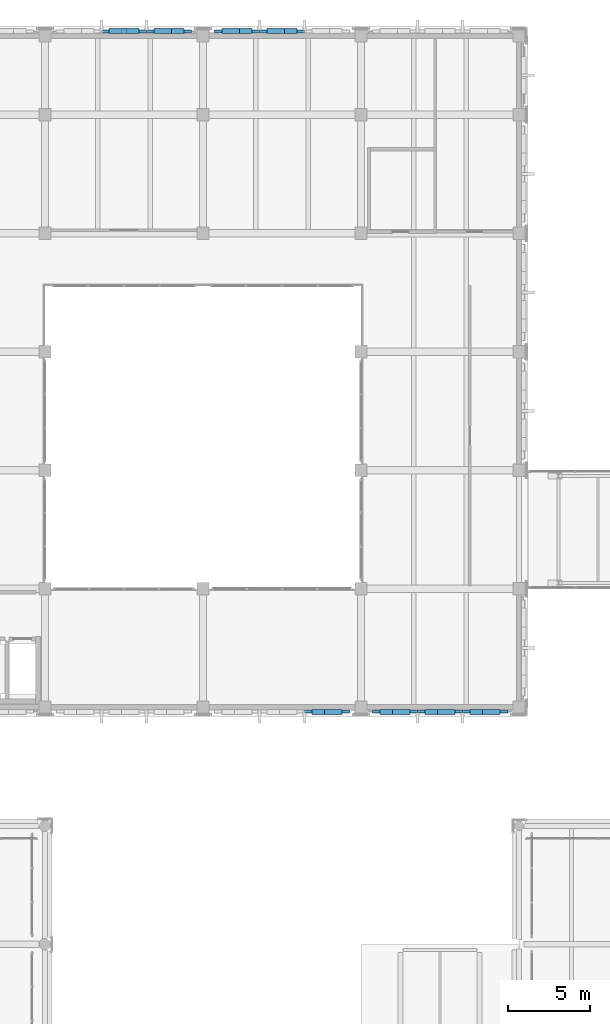
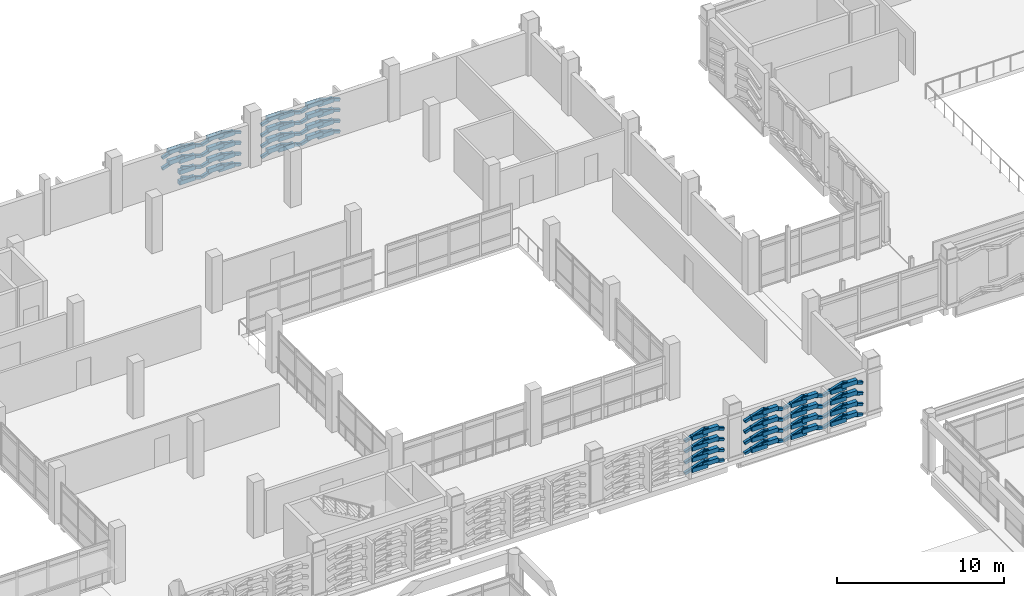
# One storey, part 137 of 180: 124 plates.
"""IFC4 building model written with IfcOpenShell, lengths in metres."""

from ifc_helpers import new_model, si_unit, direction, frame, origin, origin_2d, place, context, subcontext, project, spatial, rectangle, hollow_rectangle, extrude, material, layer, layer_set, material_profile, profile_set, type_object, element, save


model = new_model("IFC4")

# Units and contexts
model_context = context("Model", 3, precision=1e-05, world=origin(), true_north=direction((0.0, 1.0)))
body_context = subcontext(model_context, "Body", "Model", "MODEL_VIEW")
ifc_project = project(units=[si_unit("LENGTHUNIT", "METRE"), si_unit("AREAUNIT", "SQUARE_METRE"), si_unit("VOLUMEUNIT", "CUBIC_METRE"), si_unit("PLANEANGLEUNIT", "RADIAN"), si_unit("MASSUNIT", "GRAM", prefix="KILO")], contexts=[model_context])

# Site, building, storey
site_placement = place(None, origin())
site = spatial("IfcSite", under=ifc_project, at=site_placement, CompositionType="ELEMENT")
building_placement = place(site_placement, origin())
building = spatial("IfcBuilding", under=site, at=building_placement, Name="Asteropetra Specialist Clinic", CompositionType="ELEMENT")
storey_placement = place(building_placement, frame((0.0, 0.0, 4.419921875)))
storey = spatial("IfcBuildingStorey", under=building, at=storey_placement, Name="L01", CompositionType="ELEMENT", Elevation=4.419921875)

# Plates
ifc_material_1 = material(Name="Chevron emerald aluminium 6063-T6", Category="aluminium")
ifc_material_profile = material_profile(ifc_material_1, hollow_rectangle(XDim=0.199951171875, YDim=0.199951171875, WallThickness=0.010009765625, InnerFilletRadius=0.008056640625, OuterFilletRadius=0.01611328125, at=origin_2d()), Name="SHS 200x200x10.0")
ifc_profile_set = profile_set([ifc_material_profile], Name="Chevron emerald aluminium 6063-T6")
plate_type_1 = type_object("IfcPlateType", Name="CHV-RIB-200", PredefinedType="SHEET", material=ifc_profile_set)
for number, where, z_axis, x_axis, name in (
    (1, (56.885009765625, 110.652099609375, 0.050048828125), (-0.95244216645, 0.0, 0.304719411211), (0.0, -1.0, 0.0), "Chevron Facade Screen Fin CVR-0547"),
    (2, (55.53662109375, 110.652099609375, 0.4814453125), (-0.95244216645, 0.0, -0.304719411211), (0.0, -1.0, 0.0), "Chevron Facade Screen Fin CVR-0548"),
    (3, (56.885009765625, 110.652099609375, 0.820068359375), (-0.95244216645, 0.0, 0.304719411211), (0.0, -1.0, 0.0), "Chevron Facade Screen Fin CVR-0549"),
    (4, (55.53662109375, 110.652099609375, 1.25146484375), (-0.95244216645, 0.0, -0.304719411211), (0.0, -1.0, 0.0), "Chevron Facade Screen Fin CVR-0550"),
    (5, (56.885009765625, 110.652099609375, 1.6201171875), (-0.95244216645, 0.0, 0.304719411211), (0.0, -1.0, 0.0), "Chevron Facade Screen Fin CVR-0551"),
    (6, (55.53662109375, 110.652099609375, 2.051513671875), (-0.95244216645, 0.0, -0.304719411211), (0.0, -1.0, 0.0), "Chevron Facade Screen Fin CVR-0552"),
    (7, (56.885009765625, 110.652099609375, 2.400146484375), (-0.95244216645, 0.0, 0.304719411211), (0.0, -1.0, 0.0), "Chevron Facade Screen Fin CVR-0553"),
    (8, (55.53662109375, 110.652099609375, 2.83154296875), (-0.95244216645, 0.0, -0.304719411211), (0.0, -1.0, 0.0), "Chevron Facade Screen Fin CVR-0554"),
):
    element("IfcPlate", number, at=place(storey_placement, frame(where, z_axis=z_axis, x_axis=x_axis)), inside=storey, type_object=plate_type_1, Name=name, PredefinedType="SHEET", context=body_context, shape_type="SweptSolid", body=[
        extrude(hollow_rectangle(XDim=0.199951171875, YDim=0.199951171875, WallThickness=0.010009765625, InnerFilletRadius=0.008056640625, OuterFilletRadius=0.01611328125, at=origin_2d()), origin(), (0.0, 0.0, 1.0), 1.415771484375),
    ])
for number, where, z_axis, x_axis, name in (
    (9, (54.148193359375, 110.652099609375, 0.050048828125), (-0.952426149832, 0.0, 0.304769468807), (0.0, -1.0, 0.0), "Chevron Facade Screen Fin CVR-0555"),
    (10, (54.148193359375, 110.652099609375, 0.820068359375), (-0.952426149832, 0.0, 0.304769468807), (0.0, -1.0, 0.0), "Chevron Facade Screen Fin CVR-0557"),
    (11, (54.148193359375, 110.652099609375, 1.6201171875), (-0.952426149832, 0.0, 0.304769468807), (0.0, -1.0, 0.0), "Chevron Facade Screen Fin CVR-0559"),
):
    element("IfcPlate", number, at=place(storey_placement, frame(where, z_axis=z_axis, x_axis=x_axis)), inside=storey, type_object=plate_type_1, Name=name, PredefinedType="SHEET", context=body_context, shape_type="SweptSolid", body=[
        extrude(hollow_rectangle(XDim=0.199951171875, YDim=0.199951171875, WallThickness=0.010009765625, InnerFilletRadius=0.008056640625, OuterFilletRadius=0.01611328125, at=origin_2d()), origin(), (0.0, 0.0, 1.0), 1.41552734375),
    ])
plate_1_placement = place(storey_placement, frame((52.800048828125, 110.652099609375, 2.051513671875), z_axis=(-0.95244216645, 0.0, -0.304719411211), x_axis=(0.0, -1.0, 0.0)))
element("IfcPlate", 12, at=plate_1_placement, inside=storey, type_object=plate_type_1, Name="Chevron Facade Screen Fin CVR-0560", PredefinedType="SHEET", context=body_context, shape_type="SweptSolid", body=[
    extrude(hollow_rectangle(XDim=0.199951171875, YDim=0.199951171875, WallThickness=0.010009765625, InnerFilletRadius=0.008056640625, OuterFilletRadius=0.01611328125, at=origin_2d()), origin(), (0.0, 0.0, 1.0), 1.415771484375),
])
plate_2_placement = place(storey_placement, frame((54.148193359375, 110.652099609375, 2.400146484375), z_axis=(-0.952426149832, 0.0, 0.304769468807), x_axis=(0.0, -1.0, 0.0)))
element("IfcPlate", 13, at=plate_2_placement, inside=storey, type_object=plate_type_1, Name="Chevron Facade Screen Fin CVR-0561", PredefinedType="SHEET", context=body_context, shape_type="SweptSolid", body=[
    extrude(hollow_rectangle(XDim=0.199951171875, YDim=0.199951171875, WallThickness=0.010009765625, InnerFilletRadius=0.008056640625, OuterFilletRadius=0.01611328125, at=origin_2d()), origin(), (0.0, 0.0, 1.0), 1.41552734375),
])
for number, where, z_axis, x_axis, name in (
    (14, (52.800048828125, 110.652099609375, 2.83154296875), (-0.95244216645, 0.0, -0.304719411211), (0.0, -1.0, 0.0), "Chevron Facade Screen Fin CVR-0562"),
    (15, (63.788330078125, 69.347900390625, 0.050048828125), (0.95244216645, 0.0, 0.304719411211), (0.0, 1.0, 0.0), "Chevron Facade Screen Fin CVR-0587"),
    (16, (65.13671875, 69.347900390625, 0.4814453125), (0.95244216645, 0.0, -0.304719411211), (0.0, 1.0, 0.0), "Chevron Facade Screen Fin CVR-0588"),
    (17, (63.788330078125, 69.347900390625, 0.820068359375), (0.95244216645, 0.0, 0.304719411211), (0.0, 1.0, 0.0), "Chevron Facade Screen Fin CVR-0589"),
    (18, (65.13671875, 69.347900390625, 1.25146484375), (0.95244216645, 0.0, -0.304719411211), (0.0, 1.0, 0.0), "Chevron Facade Screen Fin CVR-0590"),
    (19, (63.788330078125, 69.347900390625, 1.6201171875), (0.95244216645, 0.0, 0.304719411211), (0.0, 1.0, 0.0), "Chevron Facade Screen Fin CVR-0591"),
    (20, (65.13671875, 69.347900390625, 2.051513671875), (0.95244216645, 0.0, -0.304719411211), (0.0, 1.0, 0.0), "Chevron Facade Screen Fin CVR-0592"),
    (21, (63.788330078125, 69.347900390625, 2.400146484375), (0.95244216645, 0.0, 0.304719411211), (0.0, 1.0, 0.0), "Chevron Facade Screen Fin CVR-0593"),
    (22, (65.13671875, 69.347900390625, 2.83154296875), (0.95244216645, 0.0, -0.304719411211), (0.0, 1.0, 0.0), "Chevron Facade Screen Fin CVR-0594"),
    (23, (63.748291015625, 110.652099609375, 0.050048828125), (-0.95244216645, 0.0, 0.304719411211), (0.0, -1.0, 0.0), "Chevron Facade Screen Fin CVR-0603"),
):
    element("IfcPlate", number, at=place(storey_placement, frame(where, z_axis=z_axis, x_axis=x_axis)), inside=storey, type_object=plate_type_1, Name=name, PredefinedType="SHEET", context=body_context, shape_type="SweptSolid", body=[
        extrude(hollow_rectangle(XDim=0.199951171875, YDim=0.199951171875, WallThickness=0.010009765625, InnerFilletRadius=0.008056640625, OuterFilletRadius=0.01611328125, at=origin_2d()), origin(), (0.0, 0.0, 1.0), 1.415771484375),
    ])
plate_3_placement = place(storey_placement, frame((62.39990234375, 110.652099609375, 0.4814453125), z_axis=(-0.952426149832, 0.0, -0.304769468807), x_axis=(0.0, -1.0, 0.0)))
element("IfcPlate", 24, at=plate_3_placement, inside=storey, type_object=plate_type_1, Name="Chevron Facade Screen Fin CVR-0604", PredefinedType="SHEET", context=body_context, shape_type="SweptSolid", body=[
    extrude(hollow_rectangle(XDim=0.199951171875, YDim=0.199951171875, WallThickness=0.010009765625, InnerFilletRadius=0.008056640625, OuterFilletRadius=0.01611328125, at=origin_2d()), origin(), (0.0, 0.0, 1.0), 1.41552734375),
])
plate_4_placement = place(storey_placement, frame((63.748291015625, 110.652099609375, 0.820068359375), z_axis=(-0.95244216645, 0.0, 0.304719411211), x_axis=(0.0, -1.0, 0.0)))
element("IfcPlate", 25, at=plate_4_placement, inside=storey, type_object=plate_type_1, Name="Chevron Facade Screen Fin CVR-0605", PredefinedType="SHEET", context=body_context, shape_type="SweptSolid", body=[
    extrude(hollow_rectangle(XDim=0.199951171875, YDim=0.199951171875, WallThickness=0.010009765625, InnerFilletRadius=0.008056640625, OuterFilletRadius=0.01611328125, at=origin_2d()), origin(), (0.0, 0.0, 1.0), 1.415771484375),
])
plate_5_placement = place(storey_placement, frame((62.39990234375, 110.652099609375, 1.25146484375), z_axis=(-0.952426149832, 0.0, -0.304769468807), x_axis=(0.0, -1.0, 0.0)))
element("IfcPlate", 26, at=plate_5_placement, inside=storey, type_object=plate_type_1, Name="Chevron Facade Screen Fin CVR-0606", PredefinedType="SHEET", context=body_context, shape_type="SweptSolid", body=[
    extrude(hollow_rectangle(XDim=0.199951171875, YDim=0.199951171875, WallThickness=0.010009765625, InnerFilletRadius=0.008056640625, OuterFilletRadius=0.01611328125, at=origin_2d()), origin(), (0.0, 0.0, 1.0), 1.41552734375),
])
plate_6_placement = place(storey_placement, frame((63.748291015625, 110.652099609375, 1.6201171875), z_axis=(-0.95244216645, 0.0, 0.304719411211), x_axis=(0.0, -1.0, 0.0)))
element("IfcPlate", 27, at=plate_6_placement, inside=storey, type_object=plate_type_1, Name="Chevron Facade Screen Fin CVR-0607", PredefinedType="SHEET", context=body_context, shape_type="SweptSolid", body=[
    extrude(hollow_rectangle(XDim=0.199951171875, YDim=0.199951171875, WallThickness=0.010009765625, InnerFilletRadius=0.008056640625, OuterFilletRadius=0.01611328125, at=origin_2d()), origin(), (0.0, 0.0, 1.0), 1.415771484375),
])
plate_7_placement = place(storey_placement, frame((62.39990234375, 110.652099609375, 2.051513671875), z_axis=(-0.952426149832, 0.0, -0.304769468807), x_axis=(0.0, -1.0, 0.0)))
element("IfcPlate", 28, at=plate_7_placement, inside=storey, type_object=plate_type_1, Name="Chevron Facade Screen Fin CVR-0608", PredefinedType="SHEET", context=body_context, shape_type="SweptSolid", body=[
    extrude(hollow_rectangle(XDim=0.199951171875, YDim=0.199951171875, WallThickness=0.010009765625, InnerFilletRadius=0.008056640625, OuterFilletRadius=0.01611328125, at=origin_2d()), origin(), (0.0, 0.0, 1.0), 1.41552734375),
])
plate_8_placement = place(storey_placement, frame((63.748291015625, 110.652099609375, 2.400146484375), z_axis=(-0.95244216645, 0.0, 0.304719411211), x_axis=(0.0, -1.0, 0.0)))
element("IfcPlate", 29, at=plate_8_placement, inside=storey, type_object=plate_type_1, Name="Chevron Facade Screen Fin CVR-0609", PredefinedType="SHEET", context=body_context, shape_type="SweptSolid", body=[
    extrude(hollow_rectangle(XDim=0.199951171875, YDim=0.199951171875, WallThickness=0.010009765625, InnerFilletRadius=0.008056640625, OuterFilletRadius=0.01611328125, at=origin_2d()), origin(), (0.0, 0.0, 1.0), 1.415771484375),
])
plate_9_placement = place(storey_placement, frame((62.39990234375, 110.652099609375, 2.83154296875), z_axis=(-0.952426149832, 0.0, -0.304769468807), x_axis=(0.0, -1.0, 0.0)))
element("IfcPlate", 30, at=plate_9_placement, inside=storey, type_object=plate_type_1, Name="Chevron Facade Screen Fin CVR-0610", PredefinedType="SHEET", context=body_context, shape_type="SweptSolid", body=[
    extrude(hollow_rectangle(XDim=0.199951171875, YDim=0.199951171875, WallThickness=0.010009765625, InnerFilletRadius=0.008056640625, OuterFilletRadius=0.01611328125, at=origin_2d()), origin(), (0.0, 0.0, 1.0), 1.41552734375),
])
for number, where, z_axis, x_axis, name in (
    (31, (61.01171875, 110.652099609375, 0.050048828125), (-0.95244216645, 0.0, 0.304719411211), (0.0, -1.0, 0.0), "Chevron Facade Screen Fin CVR-0611"),
    (32, (59.663330078125, 110.652099609375, 0.4814453125), (-0.95244216645, 0.0, -0.304719411211), (0.0, -1.0, 0.0), "Chevron Facade Screen Fin CVR-0612"),
    (33, (61.01171875, 110.652099609375, 0.820068359375), (-0.95244216645, 0.0, 0.304719411211), (0.0, -1.0, 0.0), "Chevron Facade Screen Fin CVR-0613"),
    (34, (59.663330078125, 110.652099609375, 1.25146484375), (-0.95244216645, 0.0, -0.304719411211), (0.0, -1.0, 0.0), "Chevron Facade Screen Fin CVR-0614"),
    (35, (61.01171875, 110.652099609375, 1.6201171875), (-0.95244216645, 0.0, 0.304719411211), (0.0, -1.0, 0.0), "Chevron Facade Screen Fin CVR-0615"),
    (36, (59.663330078125, 110.652099609375, 2.051513671875), (-0.95244216645, 0.0, -0.304719411211), (0.0, -1.0, 0.0), "Chevron Facade Screen Fin CVR-0616"),
    (37, (61.01171875, 110.652099609375, 2.400146484375), (-0.95244216645, 0.0, 0.304719411211), (0.0, -1.0, 0.0), "Chevron Facade Screen Fin CVR-0617"),
    (38, (59.663330078125, 110.652099609375, 2.83154296875), (-0.95244216645, 0.0, -0.304719411211), (0.0, -1.0, 0.0), "Chevron Facade Screen Fin CVR-0618"),
):
    element("IfcPlate", number, at=place(storey_placement, frame(where, z_axis=z_axis, x_axis=x_axis)), inside=storey, type_object=plate_type_1, Name=name, PredefinedType="SHEET", context=body_context, shape_type="SweptSolid", body=[
        extrude(hollow_rectangle(XDim=0.199951171875, YDim=0.199951171875, WallThickness=0.010009765625, InnerFilletRadius=0.008056640625, OuterFilletRadius=0.01611328125, at=origin_2d()), origin(), (0.0, 0.0, 1.0), 1.415771484375),
    ])
plate_10_placement = place(storey_placement, frame((67.9150390625, 69.347900390625, 0.050048828125), z_axis=(0.952426149832, 0.0, 0.304769468807), x_axis=(0.0, 1.0, 0.0)))
element("IfcPlate", 39, at=plate_10_placement, inside=storey, type_object=plate_type_1, Name="Chevron Facade Screen Fin CVR-0619", PredefinedType="SHEET", context=body_context, shape_type="SweptSolid", body=[
    extrude(hollow_rectangle(XDim=0.199951171875, YDim=0.199951171875, WallThickness=0.010009765625, InnerFilletRadius=0.008056640625, OuterFilletRadius=0.01611328125, at=origin_2d()), origin(), (0.0, 0.0, 1.0), 1.41552734375),
])
plate_11_placement = place(storey_placement, frame((69.26318359375, 69.347900390625, 0.4814453125), z_axis=(0.952458175178, 0.0, -0.304669369214), x_axis=(0.0, 1.0, 0.0)))
element("IfcPlate", 40, at=plate_11_placement, inside=storey, type_object=plate_type_1, Name="Chevron Facade Screen Fin CVR-0620", PredefinedType="SHEET", context=body_context, shape_type="SweptSolid", body=[
    extrude(hollow_rectangle(XDim=0.199951171875, YDim=0.199951171875, WallThickness=0.010009765625, InnerFilletRadius=0.008056640625, OuterFilletRadius=0.01611328125, at=origin_2d()), origin(), (0.0, 0.0, 1.0), 1.416015625),
])
plate_12_placement = place(storey_placement, frame((67.9150390625, 69.347900390625, 0.820068359375), z_axis=(0.952426149832, 0.0, 0.304769468807), x_axis=(0.0, 1.0, 0.0)))
element("IfcPlate", 41, at=plate_12_placement, inside=storey, type_object=plate_type_1, Name="Chevron Facade Screen Fin CVR-0621", PredefinedType="SHEET", context=body_context, shape_type="SweptSolid", body=[
    extrude(hollow_rectangle(XDim=0.199951171875, YDim=0.199951171875, WallThickness=0.010009765625, InnerFilletRadius=0.008056640625, OuterFilletRadius=0.01611328125, at=origin_2d()), origin(), (0.0, 0.0, 1.0), 1.41552734375),
])
plate_13_placement = place(storey_placement, frame((69.26318359375, 69.347900390625, 1.25146484375), z_axis=(0.952458175178, 0.0, -0.304669369214), x_axis=(0.0, 1.0, 0.0)))
element("IfcPlate", 42, at=plate_13_placement, inside=storey, type_object=plate_type_1, Name="Chevron Facade Screen Fin CVR-0622", PredefinedType="SHEET", context=body_context, shape_type="SweptSolid", body=[
    extrude(hollow_rectangle(XDim=0.199951171875, YDim=0.199951171875, WallThickness=0.010009765625, InnerFilletRadius=0.008056640625, OuterFilletRadius=0.01611328125, at=origin_2d()), origin(), (0.0, 0.0, 1.0), 1.416015625),
])
plate_14_placement = place(storey_placement, frame((67.9150390625, 69.347900390625, 1.6201171875), z_axis=(0.952426149832, 0.0, 0.304769468807), x_axis=(0.0, 1.0, 0.0)))
element("IfcPlate", 43, at=plate_14_placement, inside=storey, type_object=plate_type_1, Name="Chevron Facade Screen Fin CVR-0623", PredefinedType="SHEET", context=body_context, shape_type="SweptSolid", body=[
    extrude(hollow_rectangle(XDim=0.199951171875, YDim=0.199951171875, WallThickness=0.010009765625, InnerFilletRadius=0.008056640625, OuterFilletRadius=0.01611328125, at=origin_2d()), origin(), (0.0, 0.0, 1.0), 1.41552734375),
])
plate_15_placement = place(storey_placement, frame((69.26318359375, 69.347900390625, 2.051513671875), z_axis=(0.952458175178, 0.0, -0.304669369214), x_axis=(0.0, 1.0, 0.0)))
element("IfcPlate", 44, at=plate_15_placement, inside=storey, type_object=plate_type_1, Name="Chevron Facade Screen Fin CVR-0624", PredefinedType="SHEET", context=body_context, shape_type="SweptSolid", body=[
    extrude(hollow_rectangle(XDim=0.199951171875, YDim=0.199951171875, WallThickness=0.010009765625, InnerFilletRadius=0.008056640625, OuterFilletRadius=0.01611328125, at=origin_2d()), origin(), (0.0, 0.0, 1.0), 1.416015625),
])
plate_16_placement = place(storey_placement, frame((67.9150390625, 69.347900390625, 2.400146484375), z_axis=(0.952426149832, 0.0, 0.304769468807), x_axis=(0.0, 1.0, 0.0)))
element("IfcPlate", 45, at=plate_16_placement, inside=storey, type_object=plate_type_1, Name="Chevron Facade Screen Fin CVR-0625", PredefinedType="SHEET", context=body_context, shape_type="SweptSolid", body=[
    extrude(hollow_rectangle(XDim=0.199951171875, YDim=0.199951171875, WallThickness=0.010009765625, InnerFilletRadius=0.008056640625, OuterFilletRadius=0.01611328125, at=origin_2d()), origin(), (0.0, 0.0, 1.0), 1.41552734375),
])
plate_17_placement = place(storey_placement, frame((69.26318359375, 69.347900390625, 2.83154296875), z_axis=(0.952458175178, 0.0, -0.304669369214), x_axis=(0.0, 1.0, 0.0)))
element("IfcPlate", 46, at=plate_17_placement, inside=storey, type_object=plate_type_1, Name="Chevron Facade Screen Fin CVR-0626", PredefinedType="SHEET", context=body_context, shape_type="SweptSolid", body=[
    extrude(hollow_rectangle(XDim=0.199951171875, YDim=0.199951171875, WallThickness=0.010009765625, InnerFilletRadius=0.008056640625, OuterFilletRadius=0.01611328125, at=origin_2d()), origin(), (0.0, 0.0, 1.0), 1.416015625),
])
for number, where, z_axis, x_axis, name in (
    (47, (70.651611328125, 69.347900390625, 0.050048828125), (0.95244216645, 0.0, 0.304719411211), (0.0, 1.0, 0.0), "Chevron Facade Screen Fin CVR-0627"),
    (48, (72.0, 69.347900390625, 0.4814453125), (0.95244216645, 0.0, -0.304719411211), (0.0, 1.0, 0.0), "Chevron Facade Screen Fin CVR-0628"),
    (49, (70.651611328125, 69.347900390625, 0.820068359375), (0.95244216645, 0.0, 0.304719411211), (0.0, 1.0, 0.0), "Chevron Facade Screen Fin CVR-0629"),
    (50, (72.0, 69.347900390625, 1.25146484375), (0.95244216645, 0.0, -0.304719411211), (0.0, 1.0, 0.0), "Chevron Facade Screen Fin CVR-0630"),
    (51, (70.651611328125, 69.347900390625, 1.6201171875), (0.95244216645, 0.0, 0.304719411211), (0.0, 1.0, 0.0), "Chevron Facade Screen Fin CVR-0631"),
    (52, (72.0, 69.347900390625, 2.051513671875), (0.95244216645, 0.0, -0.304719411211), (0.0, 1.0, 0.0), "Chevron Facade Screen Fin CVR-0632"),
    (53, (70.651611328125, 69.347900390625, 2.400146484375), (0.95244216645, 0.0, 0.304719411211), (0.0, 1.0, 0.0), "Chevron Facade Screen Fin CVR-0633"),
    (54, (72.0, 69.347900390625, 2.83154296875), (0.95244216645, 0.0, -0.304719411211), (0.0, 1.0, 0.0), "Chevron Facade Screen Fin CVR-0634"),
):
    element("IfcPlate", number, at=place(storey_placement, frame(where, z_axis=z_axis, x_axis=x_axis)), inside=storey, type_object=plate_type_1, Name=name, PredefinedType="SHEET", context=body_context, shape_type="SweptSolid", body=[
        extrude(hollow_rectangle(XDim=0.199951171875, YDim=0.199951171875, WallThickness=0.010009765625, InnerFilletRadius=0.008056640625, OuterFilletRadius=0.01611328125, at=origin_2d()), origin(), (0.0, 0.0, 1.0), 1.415771484375),
    ])
plate_18_placement = place(storey_placement, frame((73.38818359375, 69.347900390625, 0.050048828125), z_axis=(0.952458175178, 0.0, 0.304669369214), x_axis=(0.0, 1.0, 0.0)))
element("IfcPlate", 55, at=plate_18_placement, inside=storey, type_object=plate_type_1, Name="Chevron Facade Screen Fin CVR-0635", PredefinedType="SHEET", context=body_context, shape_type="SweptSolid", body=[
    extrude(hollow_rectangle(XDim=0.199951171875, YDim=0.199951171875, WallThickness=0.010009765625, InnerFilletRadius=0.008056640625, OuterFilletRadius=0.01611328125, at=origin_2d()), origin(), (0.0, 0.0, 1.0), 1.416015625),
])
plate_19_placement = place(storey_placement, frame((74.73681640625, 69.347900390625, 0.4814453125), z_axis=(0.952426149832, 0.0, -0.304769468807), x_axis=(0.0, 1.0, 0.0)))
element("IfcPlate", 56, at=plate_19_placement, inside=storey, type_object=plate_type_1, Name="Chevron Facade Screen Fin CVR-0636", PredefinedType="SHEET", context=body_context, shape_type="SweptSolid", body=[
    extrude(hollow_rectangle(XDim=0.199951171875, YDim=0.199951171875, WallThickness=0.010009765625, InnerFilletRadius=0.008056640625, OuterFilletRadius=0.01611328125, at=origin_2d()), origin(), (0.0, 0.0, 1.0), 1.41552734375),
])
plate_20_placement = place(storey_placement, frame((73.38818359375, 69.347900390625, 0.820068359375), z_axis=(0.952458175178, 0.0, 0.304669369214), x_axis=(0.0, 1.0, 0.0)))
element("IfcPlate", 57, at=plate_20_placement, inside=storey, type_object=plate_type_1, Name="Chevron Facade Screen Fin CVR-0637", PredefinedType="SHEET", context=body_context, shape_type="SweptSolid", body=[
    extrude(hollow_rectangle(XDim=0.199951171875, YDim=0.199951171875, WallThickness=0.010009765625, InnerFilletRadius=0.008056640625, OuterFilletRadius=0.01611328125, at=origin_2d()), origin(), (0.0, 0.0, 1.0), 1.416015625),
])
plate_21_placement = place(storey_placement, frame((74.73681640625, 69.347900390625, 1.25146484375), z_axis=(0.952426149832, 0.0, -0.304769468807), x_axis=(0.0, 1.0, 0.0)))
element("IfcPlate", 58, at=plate_21_placement, inside=storey, type_object=plate_type_1, Name="Chevron Facade Screen Fin CVR-0638", PredefinedType="SHEET", context=body_context, shape_type="SweptSolid", body=[
    extrude(hollow_rectangle(XDim=0.199951171875, YDim=0.199951171875, WallThickness=0.010009765625, InnerFilletRadius=0.008056640625, OuterFilletRadius=0.01611328125, at=origin_2d()), origin(), (0.0, 0.0, 1.0), 1.41552734375),
])
plate_22_placement = place(storey_placement, frame((73.38818359375, 69.347900390625, 1.6201171875), z_axis=(0.952458175178, 0.0, 0.304669369214), x_axis=(0.0, 1.0, 0.0)))
element("IfcPlate", 59, at=plate_22_placement, inside=storey, type_object=plate_type_1, Name="Chevron Facade Screen Fin CVR-0639", PredefinedType="SHEET", context=body_context, shape_type="SweptSolid", body=[
    extrude(hollow_rectangle(XDim=0.199951171875, YDim=0.199951171875, WallThickness=0.010009765625, InnerFilletRadius=0.008056640625, OuterFilletRadius=0.01611328125, at=origin_2d()), origin(), (0.0, 0.0, 1.0), 1.416015625),
])
plate_23_placement = place(storey_placement, frame((74.73681640625, 69.347900390625, 2.051513671875), z_axis=(0.952426149832, 0.0, -0.304769468807), x_axis=(0.0, 1.0, 0.0)))
element("IfcPlate", 60, at=plate_23_placement, inside=storey, type_object=plate_type_1, Name="Chevron Facade Screen Fin CVR-0640", PredefinedType="SHEET", context=body_context, shape_type="SweptSolid", body=[
    extrude(hollow_rectangle(XDim=0.199951171875, YDim=0.199951171875, WallThickness=0.010009765625, InnerFilletRadius=0.008056640625, OuterFilletRadius=0.01611328125, at=origin_2d()), origin(), (0.0, 0.0, 1.0), 1.41552734375),
])
plate_24_placement = place(storey_placement, frame((73.38818359375, 69.347900390625, 2.400146484375), z_axis=(0.952458175178, 0.0, 0.304669369214), x_axis=(0.0, 1.0, 0.0)))
element("IfcPlate", 61, at=plate_24_placement, inside=storey, type_object=plate_type_1, Name="Chevron Facade Screen Fin CVR-0641", PredefinedType="SHEET", context=body_context, shape_type="SweptSolid", body=[
    extrude(hollow_rectangle(XDim=0.199951171875, YDim=0.199951171875, WallThickness=0.010009765625, InnerFilletRadius=0.008056640625, OuterFilletRadius=0.01611328125, at=origin_2d()), origin(), (0.0, 0.0, 1.0), 1.416015625),
])
plate_25_placement = place(storey_placement, frame((74.73681640625, 69.347900390625, 2.83154296875), z_axis=(0.952426149832, 0.0, -0.304769468807), x_axis=(0.0, 1.0, 0.0)))
element("IfcPlate", 62, at=plate_25_placement, inside=storey, type_object=plate_type_1, Name="Chevron Facade Screen Fin CVR-0642", PredefinedType="SHEET", context=body_context, shape_type="SweptSolid", body=[
    extrude(hollow_rectangle(XDim=0.199951171875, YDim=0.199951171875, WallThickness=0.010009765625, InnerFilletRadius=0.008056640625, OuterFilletRadius=0.01611328125, at=origin_2d()), origin(), (0.0, 0.0, 1.0), 1.41552734375),
])
ifc_material_2 = material(Name="Aluminium 6063-T6", Category="aluminium")
ifc_layer = layer(ifc_material_2, 0.139892578125)
ifc_layer_set = layer_set([ifc_layer], Name="Aluminium 6063-T6")
plate_type_2 = type_object("IfcPlateType", Name="PLT-CHV-TILE", PredefinedType="SHEET", material=ifc_layer_set)
for number, where, z_axis, x_axis, name in (
    (63, (55.914306640625, 110.68994140625, 0.029296875), (0.0, 0.0, 1.0), (1.0, 0.0, 0.0), "Chevron Ceramic Panel CPT-0185"),
    (64, (55.1591796875, 110.68994140625, 0.193359375), (0.0, 0.0, 1.0), (1.0, 0.0, 0.0), "Chevron Ceramic Panel CPT-0186"),
    (65, (55.914306640625, 110.68994140625, 0.79931640625), (0.0, 0.0, 1.0), (1.0, 0.0, 0.0), "Chevron Ceramic Panel CPT-0187"),
    (66, (55.1591796875, 110.68994140625, 0.96337890625), (0.0, 0.0, 1.0), (1.0, 0.0, 0.0), "Chevron Ceramic Panel CPT-0188"),
    (67, (55.914306640625, 110.68994140625, 1.599609375), (0.0, 0.0, 1.0), (1.0, 0.0, 0.0), "Chevron Ceramic Panel CPT-0189"),
    (68, (55.1591796875, 110.68994140625, 1.763671875), (0.0, 0.0, 1.0), (1.0, 0.0, 0.0), "Chevron Ceramic Panel CPT-0190"),
    (69, (55.914306640625, 110.68994140625, 2.37939453125), (0.0, 0.0, 1.0), (1.0, 0.0, 0.0), "Chevron Ceramic Panel CPT-0191"),
    (70, (55.1591796875, 110.68994140625, 2.54345703125), (0.0, 0.0, 1.0), (1.0, 0.0, 0.0), "Chevron Ceramic Panel CPT-0192"),
    (71, (53.177490234375, 110.68994140625, 0.029296875), (0.0, 0.0, 1.0), (1.0, 0.0, 0.0), "Chevron Ceramic Panel CPT-0193"),
    (72, (53.177490234375, 110.68994140625, 0.79931640625), (0.0, 0.0, 1.0), (1.0, 0.0, 0.0), "Chevron Ceramic Panel CPT-0195"),
    (73, (53.177490234375, 110.68994140625, 1.599609375), (0.0, 0.0, 1.0), (1.0, 0.0, 0.0), "Chevron Ceramic Panel CPT-0197"),
    (74, (52.422607421875, 110.68994140625, 1.763671875), (0.0, 0.0, 1.0), (1.0, 0.0, 0.0), "Chevron Ceramic Panel CPT-0198"),
    (75, (53.177490234375, 110.68994140625, 2.37939453125), (0.0, 0.0, 1.0), (1.0, 0.0, 0.0), "Chevron Ceramic Panel CPT-0199"),
    (76, (52.422607421875, 110.68994140625, 2.54345703125), (0.0, 0.0, 1.0), (1.0, 0.0, 0.0), "Chevron Ceramic Panel CPT-0200"),
    (77, (64.759033203125, 69.31005859375, 0.029296875), (0.0, 0.0, 1.0), (1.0, 0.0, 0.0), "Chevron Ceramic Panel CPT-0225"),
    (78, (65.51416015625, 69.31005859375, 0.193359375), (0.0, 0.0, 1.0), (1.0, 0.0, 0.0), "Chevron Ceramic Panel CPT-0226"),
    (79, (64.759033203125, 69.31005859375, 0.79931640625), (0.0, 0.0, 1.0), (1.0, 0.0, 0.0), "Chevron Ceramic Panel CPT-0227"),
    (80, (65.51416015625, 69.31005859375, 0.96337890625), (0.0, 0.0, 1.0), (1.0, 0.0, 0.0), "Chevron Ceramic Panel CPT-0228"),
    (81, (64.759033203125, 69.31005859375, 1.599609375), (0.0, 0.0, 1.0), (1.0, 0.0, 0.0), "Chevron Ceramic Panel CPT-0229"),
    (82, (65.51416015625, 69.31005859375, 1.763671875), (0.0, 0.0, 1.0), (1.0, 0.0, 0.0), "Chevron Ceramic Panel CPT-0230"),
    (83, (64.759033203125, 69.31005859375, 2.37939453125), (0.0, 0.0, 1.0), (1.0, 0.0, 0.0), "Chevron Ceramic Panel CPT-0231"),
    (84, (65.51416015625, 69.31005859375, 2.54345703125), (0.0, 0.0, 1.0), (1.0, 0.0, 0.0), "Chevron Ceramic Panel CPT-0232"),
    (85, (62.777587890625, 110.68994140625, 0.029296875), (0.0, 0.0, 1.0), (1.0, 0.0, 0.0), "Chevron Ceramic Panel CPT-0241"),
    (86, (62.0224609375, 110.68994140625, 0.193359375), (0.0, 0.0, 1.0), (1.0, 0.0, 0.0), "Chevron Ceramic Panel CPT-0242"),
    (87, (62.777587890625, 110.68994140625, 0.79931640625), (0.0, 0.0, 1.0), (1.0, 0.0, 0.0), "Chevron Ceramic Panel CPT-0243"),
    (88, (62.0224609375, 110.68994140625, 0.96337890625), (0.0, 0.0, 1.0), (1.0, 0.0, 0.0), "Chevron Ceramic Panel CPT-0244"),
    (89, (62.777587890625, 110.68994140625, 1.599609375), (0.0, 0.0, 1.0), (1.0, 0.0, 0.0), "Chevron Ceramic Panel CPT-0245"),
    (90, (62.0224609375, 110.68994140625, 1.763671875), (0.0, 0.0, 1.0), (1.0, 0.0, 0.0), "Chevron Ceramic Panel CPT-0246"),
    (91, (62.777587890625, 110.68994140625, 2.37939453125), (0.0, 0.0, 1.0), (1.0, 0.0, 0.0), "Chevron Ceramic Panel CPT-0247"),
    (92, (62.0224609375, 110.68994140625, 2.54345703125), (0.0, 0.0, 1.0), (1.0, 0.0, 0.0), "Chevron Ceramic Panel CPT-0248"),
    (93, (60.041015625, 110.68994140625, 0.029296875), (0.0, 0.0, 1.0), (1.0, 0.0, 0.0), "Chevron Ceramic Panel CPT-0249"),
    (94, (59.285888671875, 110.68994140625, 0.193359375), (0.0, 0.0, 1.0), (1.0, 0.0, 0.0), "Chevron Ceramic Panel CPT-0250"),
    (95, (60.041015625, 110.68994140625, 0.79931640625), (0.0, 0.0, 1.0), (1.0, 0.0, 0.0), "Chevron Ceramic Panel CPT-0251"),
    (96, (59.285888671875, 110.68994140625, 0.96337890625), (0.0, 0.0, 1.0), (1.0, 0.0, 0.0), "Chevron Ceramic Panel CPT-0252"),
    (97, (60.041015625, 110.68994140625, 1.599609375), (0.0, 0.0, 1.0), (1.0, 0.0, 0.0), "Chevron Ceramic Panel CPT-0253"),
    (98, (59.285888671875, 110.68994140625, 1.763671875), (0.0, 0.0, 1.0), (1.0, 0.0, 0.0), "Chevron Ceramic Panel CPT-0254"),
    (99, (60.041015625, 110.68994140625, 2.37939453125), (0.0, 0.0, 1.0), (1.0, 0.0, 0.0), "Chevron Ceramic Panel CPT-0255"),
    (100, (59.285888671875, 110.68994140625, 2.54345703125), (0.0, 0.0, 1.0), (1.0, 0.0, 0.0), "Chevron Ceramic Panel CPT-0256"),
    (101, (68.8857421875, 69.31005859375, 0.029296875), (0.0, 0.0, 1.0), (1.0, 0.0, 0.0), "Chevron Ceramic Panel CPT-0257"),
    (102, (69.640869140625, 69.31005859375, 0.193359375), (0.0, 0.0, 1.0), (1.0, 0.0, 0.0), "Chevron Ceramic Panel CPT-0258"),
    (103, (68.8857421875, 69.31005859375, 0.79931640625), (0.0, 0.0, 1.0), (1.0, 0.0, 0.0), "Chevron Ceramic Panel CPT-0259"),
    (104, (69.640869140625, 69.31005859375, 0.96337890625), (0.0, 0.0, 1.0), (1.0, 0.0, 0.0), "Chevron Ceramic Panel CPT-0260"),
    (105, (68.8857421875, 69.31005859375, 1.599609375), (0.0, 0.0, 1.0), (1.0, 0.0, 0.0), "Chevron Ceramic Panel CPT-0261"),
    (106, (69.640869140625, 69.31005859375, 1.763671875), (0.0, 0.0, 1.0), (1.0, 0.0, 0.0), "Chevron Ceramic Panel CPT-0262"),
    (107, (68.8857421875, 69.31005859375, 2.37939453125), (0.0, 0.0, 1.0), (1.0, 0.0, 0.0), "Chevron Ceramic Panel CPT-0263"),
    (108, (69.640869140625, 69.31005859375, 2.54345703125), (0.0, 0.0, 1.0), (1.0, 0.0, 0.0), "Chevron Ceramic Panel CPT-0264"),
    (109, (71.62255859375, 69.31005859375, 0.029296875), (0.0, 0.0, 1.0), (1.0, 0.0, 0.0), "Chevron Ceramic Panel CPT-0265"),
    (110, (72.37744140625, 69.31005859375, 0.193359375), (0.0, 0.0, 1.0), (1.0, 0.0, 0.0), "Chevron Ceramic Panel CPT-0266"),
    (111, (71.62255859375, 69.31005859375, 0.79931640625), (0.0, 0.0, 1.0), (1.0, 0.0, 0.0), "Chevron Ceramic Panel CPT-0267"),
    (112, (72.37744140625, 69.31005859375, 0.96337890625), (0.0, 0.0, 1.0), (1.0, 0.0, 0.0), "Chevron Ceramic Panel CPT-0268"),
    (113, (71.62255859375, 69.31005859375, 1.599609375), (0.0, 0.0, 1.0), (1.0, 0.0, 0.0), "Chevron Ceramic Panel CPT-0269"),
    (114, (72.37744140625, 69.31005859375, 1.763671875), (0.0, 0.0, 1.0), (1.0, 0.0, 0.0), "Chevron Ceramic Panel CPT-0270"),
    (115, (71.62255859375, 69.31005859375, 2.37939453125), (0.0, 0.0, 1.0), (1.0, 0.0, 0.0), "Chevron Ceramic Panel CPT-0271"),
    (116, (72.37744140625, 69.31005859375, 2.54345703125), (0.0, 0.0, 1.0), (1.0, 0.0, 0.0), "Chevron Ceramic Panel CPT-0272"),
    (117, (74.359130859375, 69.31005859375, 0.029296875), (0.0, 0.0, 1.0), (1.0, 0.0, 0.0), "Chevron Ceramic Panel CPT-0273"),
    (118, (75.1142578125, 69.31005859375, 0.193359375), (0.0, 0.0, 1.0), (1.0, 0.0, 0.0), "Chevron Ceramic Panel CPT-0274"),
    (119, (74.359130859375, 69.31005859375, 0.79931640625), (0.0, 0.0, 1.0), (1.0, 0.0, 0.0), "Chevron Ceramic Panel CPT-0275"),
    (120, (75.1142578125, 69.31005859375, 0.96337890625), (0.0, 0.0, 1.0), (1.0, 0.0, 0.0), "Chevron Ceramic Panel CPT-0276"),
    (121, (74.359130859375, 69.31005859375, 1.599609375), (0.0, 0.0, 1.0), (1.0, 0.0, 0.0), "Chevron Ceramic Panel CPT-0277"),
    (122, (75.1142578125, 69.31005859375, 1.763671875), (0.0, 0.0, 1.0), (1.0, 0.0, 0.0), "Chevron Ceramic Panel CPT-0278"),
    (123, (74.359130859375, 69.31005859375, 2.37939453125), (0.0, 0.0, 1.0), (1.0, 0.0, 0.0), "Chevron Ceramic Panel CPT-0279"),
    (124, (75.1142578125, 69.31005859375, 2.54345703125), (0.0, 0.0, 1.0), (1.0, 0.0, 0.0), "Chevron Ceramic Panel CPT-0280"),
):
    element("IfcPlate", number, at=place(storey_placement, frame(where, z_axis=z_axis, x_axis=x_axis)), inside=storey, type_object=plate_type_2, Name=name, PredefinedType="SHEET", context=body_context, shape_type="SweptSolid", body=[
        extrude(rectangle(XDim=1.0791015625, YDim=0.280029296875, at=origin_2d()), origin(), (0.0, 0.0, 1.0), 0.300048828125),
    ])

save(model, "model.ifc")
